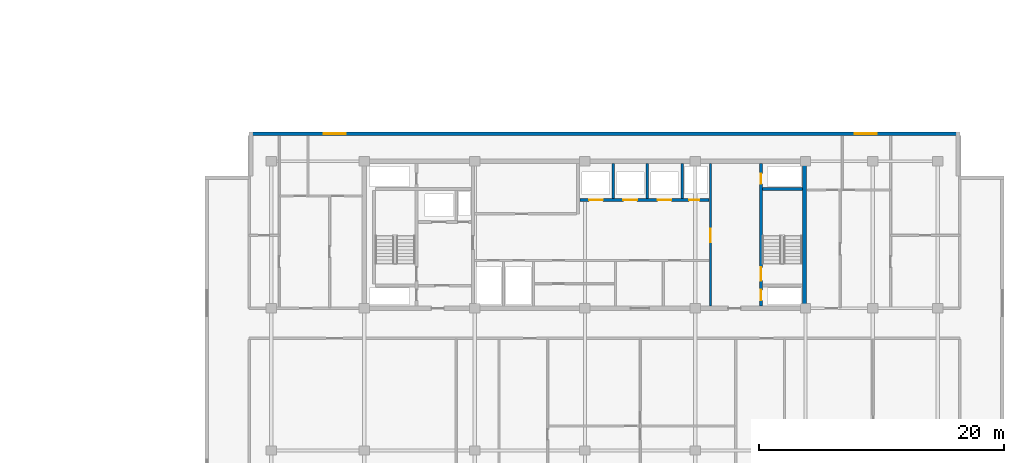
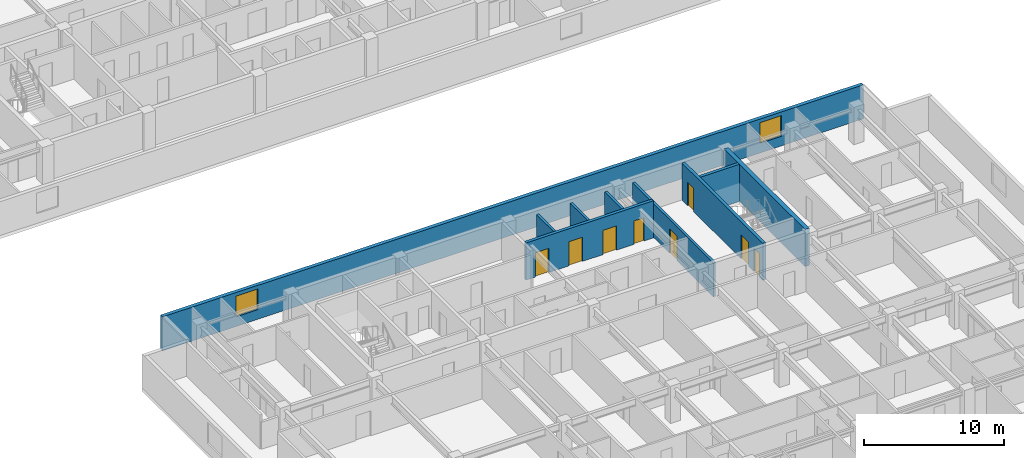
# One storey, part 7 of 21: 9 walls, 8 doors, 2 windows, 10 openings.
"""IFC4 building model written with IfcOpenShell, lengths in metres."""

from ifc_helpers import new_model, si_unit, direction, frame, frame_2d, origin, place, context, subcontext, project, spatial, rectangle, extrude, material, layer, layer_set, type_object, element, fill, save


model = new_model("IFC4")

# Units and contexts
model_context = context("Model", 3, precision=1e-05, world=origin(), true_north=direction((0.0, 1.0)))
body_context = subcontext(model_context, "Body", "Model", "MODEL_VIEW")
ifc_project = project(units=[si_unit("LENGTHUNIT", "METRE"), si_unit("AREAUNIT", "SQUARE_METRE"), si_unit("VOLUMEUNIT", "CUBIC_METRE"), si_unit("PLANEANGLEUNIT", "RADIAN"), si_unit("MASSUNIT", "GRAM", prefix="KILO")], contexts=[model_context])

# Site, building, storey
site_placement = place(None, origin())
site = spatial("IfcSite", under=ifc_project, at=site_placement, CompositionType="ELEMENT")
building_placement = place(site_placement, origin())
building = spatial("IfcBuilding", under=site, at=building_placement, Name="Korimba Cascade Residences", CompositionType="ELEMENT")
storey_placement = place(building_placement, frame((0.0, 0.0, 119.800048828125)))
storey = spatial("IfcBuildingStorey", under=building, at=storey_placement, Name="L34", CompositionType="ELEMENT", Elevation=119.800048828125)

# Wall, openings, windows
ifc_material_1 = material(Name="Precast concrete C40/50", Category="concrete")
ifc_layer_1 = layer(ifc_material_1, 0.300048828125)
ifc_layer_set_1 = layer_set([ifc_layer_1], Name="Precast concrete C40/50")
wall_type_1 = type_object("IfcWallType", Name="EW-STONE-300", PredefinedType="STANDARD", material=ifc_layer_set_1)
wall_1_placement = place(storey_placement, frame((130.699951171875, 32.64990234375, 0.0), z_axis=(0.0, 0.0, 1.0), x_axis=(-1.0, 0.0, 0.0)))
wall_1 = element("IfcWall", 1, at=wall_1_placement, inside=storey, type_object=wall_type_1, Name="L34 T2 Perimeter Stone Wall E06", PredefinedType="STANDARD", context=body_context, shape_type="SweptSolid", body=[
    extrude(rectangle(XDim=58.0, YDim=0.300048828125, at=frame_2d((29.0, 0.0))), origin(), (0.0, 0.0, 1.0), 2.969970703125),
])
opening_1_placement = place(wall_1_placement, frame((50.125, 0.0, 0.85009765625)))
opening_1 = element("IfcOpeningElement", 2, at=opening_1_placement, cuts=wall_1, Name="Opening W-02", PredefinedType="OPENING", context=body_context, shape_type="SweptSolid", body=[
    extrude(rectangle(XDim=1.800048828125, YDim=1.800048828125, at=frame_2d((0.89990234375, 0.89990234375))), frame((0.0, 0.16015625, 0.0), z_axis=(0.0, -1.0, 0.0), x_axis=(1.0, 0.0, 0.0)), (0.0, 0.0, 1.0), 0.320068359375),
])
opening_2_placement = place(wall_1_placement, frame((6.77490234375, 0.0, 0.85009765625)))
opening_2 = element("IfcOpeningElement", 3, at=opening_2_placement, cuts=wall_1, Name="Opening W-02", PredefinedType="OPENING", context=body_context, shape_type="SweptSolid", body=[
    extrude(rectangle(XDim=1.800048828125, YDim=1.800048828125, at=frame_2d((0.89990234375, 0.89990234375))), frame((0.0, 0.16015625, 0.0), z_axis=(0.0, -1.0, 0.0), x_axis=(1.0, 0.0, 0.0)), (0.0, 0.0, 1.0), 0.320068359375),
])
ifc_material_2 = material(Name="Double-Glazed Aluminium Window", Category="aluminium")
window_type = type_object("IfcWindowType", Name="WIN-BED-1800", PartitioningType="SINGLE_PANEL", PredefinedType="WINDOW", material=ifc_material_2)
window_1_placement = place(opening_1_placement, origin())
window_1 = element("IfcWindow", 4, at=window_1_placement, inside=storey, type_object=window_type, Name="L34 T2 North Corner Bedroom Window 1", OverallHeight=1.800048828125, OverallWidth=1.800048828125, PartitioningType="SINGLE_PANEL", PredefinedType="WINDOW", context=body_context, shape_type="SweptSolid", body=[
    extrude(rectangle(XDim=1.800048828125, YDim=1.800048828125, at=frame_2d((0.89990234375, 0.89990234375))), frame((0.0, 0.030029296875, 0.0), z_axis=(0.0, -1.0, 0.0), x_axis=(1.0, 0.0, 0.0)), (0.0, 0.0, 1.0), 0.06005859375),
])
fill(opening_1, window_1)
window_2_placement = place(opening_2_placement, origin())
window_2 = element("IfcWindow", 5, at=window_2_placement, inside=storey, type_object=window_type, Name="L34 T2 North Corner Bedroom Window 2", OverallHeight=1.800048828125, OverallWidth=1.800048828125, PartitioningType="SINGLE_PANEL", PredefinedType="WINDOW", context=body_context, shape_type="SweptSolid", body=[
    extrude(rectangle(XDim=1.800048828125, YDim=1.800048828125, at=frame_2d((0.89990234375, 0.89990234375))), frame((0.0, 0.030029296875, 0.0), z_axis=(0.0, -1.0, 0.0), x_axis=(1.0, 0.0, 0.0)), (0.0, 0.0, 1.0), 0.06005859375),
])
fill(opening_2, window_2)

# Walls
ifc_material_3 = material(Name="Concrete C65/80", Category="concrete")
ifc_layer_2 = layer(ifc_material_3, 0.35009765625)
ifc_layer_set_2 = layer_set([ifc_layer_2], Name="Concrete C65/80")
wall_type_2 = type_object("IfcWallType", Name="WAL-CORE-350", PredefinedType="SHEAR", material=ifc_layer_set_2)
wall_2_placement = place(storey_placement, frame((118.014892578125, 18.574951171875, 0.0), z_axis=(0.0, 0.0, 1.0), x_axis=(0.0, 1.0, 0.0)))
element("IfcWall", 6, at=wall_2_placement, inside=storey, type_object=wall_type_2, Name="L34 Core Shear Wall CW-L34-T2-E", PredefinedType="SHEAR", context=body_context, shape_type="SweptSolid", body=[
    extrude(rectangle(XDim=11.650146484375, YDim=0.35009765625, at=frame_2d((5.8251953125, 0.0))), origin(), (0.0, 0.0, 1.0), 3.25),
])
ifc_material_4 = material(Name="Concrete C40/50", Category="concrete")
ifc_layer_3 = layer(ifc_material_4, 0.199951171875)
ifc_layer_set_3 = layer_set([ifc_layer_3], Name="Concrete C40/50")
wall_type_3 = type_object("IfcWallType", Name="WAL-PART-200", PredefinedType="PARTITIONING", material=ifc_layer_set_3)
for number, where, z_axis, x_axis, name in (
    (7, (102.39990234375, 27.3798828125, 0.0), (0.0, 0.0, 1.0), (0.0, 1.0, 0.0), "L34 Partition Wall CW-L34-T2-B2D1"),
    (8, (105.199951171875, 27.3798828125, 0.0), (0.0, 0.0, 1.0), (0.0, 1.0, 0.0), "L34 Partition Wall CW-L34-T2-B2D2"),
    (9, (108.050048828125, 27.3798828125, 0.0), (0.0, 0.0, 1.0), (0.0, 1.0, 0.0), "L34 Partition Wall CW-L34-T2-B2D3"),
):
    element("IfcWall", number, at=place(storey_placement, frame(where, z_axis=z_axis, x_axis=x_axis)), inside=storey, type_object=wall_type_3, Name=name, PredefinedType="PARTITIONING", context=body_context, shape_type="SweptSolid", body=[
        extrude(rectangle(XDim=2.820068359375, YDim=0.199951171875, at=frame_2d((1.41015625, 0.0))), origin(), (0.0, 0.0, 1.0), 2.969970703125),
    ])

# Wall, opening, door
wall_3_placement = place(storey_placement, frame((110.35009765625, 18.60009765625, 0.0), z_axis=(0.0, 0.0, 1.0), x_axis=(0.0, 1.0, 0.0)))
wall_3 = element("IfcWall", 10, at=wall_3_placement, inside=storey, type_object=wall_type_3, Name="L34 Partition Wall CW-L34-T2-LLEV", PredefinedType="PARTITIONING", context=body_context, shape_type="SweptSolid", body=[
    extrude(rectangle(XDim=11.599853515625, YDim=0.199951171875, at=frame_2d((5.7998046875, 0.0))), origin(), (0.0, 0.0, 1.0), 2.969970703125),
])
opening_3_placement = place(wall_3_placement, frame((5.199951171875, 0.0, 0.0)))
opening_3 = element("IfcOpeningElement", 11, at=opening_3_placement, cuts=wall_3, Name="Opening D-FD6", PredefinedType="OPENING", context=body_context, shape_type="SweptSolid", body=[
    extrude(rectangle(XDim=1.10009765625, YDim=2.14990234375, at=frame_2d((0.550048828125, 1.074951171875))), frame((0.0, 0.10986328125, 0.0), z_axis=(0.0, -1.0, 0.0), x_axis=(1.0, 0.0, 0.0)), (0.0, 0.0, 1.0), 0.219970703125),
])
ifc_material_5 = material(Name="Fire-Rated Timber Stair Lobby Door", Category="wood")
door_type_1 = type_object("IfcDoorType", Name="DR-FD90-1100", OperationType="NOTDEFINED", PredefinedType="DOOR", material=ifc_material_5)
door_1_placement = place(opening_3_placement, origin())
door_1 = element("IfcDoor", 12, at=door_1_placement, inside=storey, type_object=door_type_1, Name="L34 T2 Lift Lobby to East Stair Lobby Door", OperationType="SINGLE_SWING_RIGHT", OverallHeight=2.14990234375, OverallWidth=1.10009765625, PredefinedType="DOOR", context=body_context, shape_type="SweptSolid", body=[
    extrude(rectangle(XDim=1.10009765625, YDim=2.14990234375, at=frame_2d((0.550048828125, 1.074951171875))), frame((0.0, 0.02490234375, 0.0), z_axis=(0.0, -1.0, 0.0), x_axis=(1.0, 0.0, 0.0)), (0.0, 0.0, 1.0), 0.050048828125),
])
fill(opening_3, door_1)

# Wall, openings, doors
ifc_material_6 = material(Name="Concrete C50/60", Category="concrete")
ifc_layer_4 = layer(ifc_material_6, 0.25)
ifc_layer_set_4 = layer_set([ifc_layer_4], Name="Concrete C50/60")
wall_type_4 = type_object("IfcWallType", Name="WAL-SHAFT-250", PredefinedType="SHEAR", material=ifc_layer_set_4)
wall_4_placement = place(storey_placement, frame((99.679931640625, 27.25, 0.0), z_axis=(0.0, 0.0, 1.0), x_axis=(1.0, 0.0, 0.0)))
wall_4 = element("IfcWall", 13, at=wall_4_placement, inside=storey, type_object=wall_type_4, Name="L34 Core Shear Wall CW-L34-T2-B2S", PredefinedType="SHEAR", context=body_context, shape_type="SweptSolid", body=[
    extrude(rectangle(XDim=10.5400390625, YDim=0.25, at=frame_2d((5.27001953125, 0.0))), origin(), (0.0, 0.0, 1.0), 3.25),
])
opening_4_placement = place(wall_4_placement, frame((0.760009765625, 0.0, 0.0)))
opening_4 = element("IfcOpeningElement", 14, at=opening_4_placement, cuts=wall_4, Name="Opening LD-01", PredefinedType="OPENING", context=body_context, shape_type="SweptSolid", body=[
    extrude(rectangle(XDim=1.1201171875, YDim=2.1201171875, at=frame_2d((0.56005859375, 1.06005859375))), frame((0.0, 0.135009765625, 0.0), z_axis=(0.0, -1.0, 0.0), x_axis=(1.0, 0.0, 0.0)), (0.0, 0.0, 1.0), 0.27001953125),
])
opening_5_placement = place(wall_4_placement, frame((3.56005859375, 0.0, 0.0)))
opening_5 = element("IfcOpeningElement", 15, at=opening_5_placement, cuts=wall_4, Name="Opening LD-01", PredefinedType="OPENING", context=body_context, shape_type="SweptSolid", body=[
    extrude(rectangle(XDim=1.1201171875, YDim=2.1201171875, at=frame_2d((0.56005859375, 1.06005859375))), frame((0.0, 0.135009765625, 0.0), z_axis=(0.0, -1.0, 0.0), x_axis=(1.0, 0.0, 0.0)), (0.0, 0.0, 1.0), 0.27001953125),
])
opening_6_placement = place(wall_4_placement, frame((6.360107421875, 0.0, 0.0)))
opening_6 = element("IfcOpeningElement", 16, at=opening_6_placement, cuts=wall_4, Name="Opening LD-01", PredefinedType="OPENING", context=body_context, shape_type="SweptSolid", body=[
    extrude(rectangle(XDim=1.1201171875, YDim=2.1201171875, at=frame_2d((0.56005859375, 1.06005859375))), frame((0.0, 0.135009765625, 0.0), z_axis=(0.0, -1.0, 0.0), x_axis=(1.0, 0.0, 0.0)), (0.0, 0.0, 1.0), 0.27001953125),
])
opening_7_placement = place(wall_4_placement, frame((8.919921875, 0.0, 0.0)))
opening_7 = element("IfcOpeningElement", 17, at=opening_7_placement, cuts=wall_4, Name="Opening D-RS1", PredefinedType="OPENING", context=body_context, shape_type="SweptSolid", body=[
    extrude(rectangle(XDim=0.85009765625, YDim=2.050048828125, at=frame_2d((0.425048828125, 1.02490234375))), frame((0.0, 0.135009765625, 0.0), z_axis=(0.0, -1.0, 0.0), x_axis=(1.0, 0.0, 0.0)), (0.0, 0.0, 1.0), 0.27001953125),
])
ifc_material_7 = material(Name="Fire-Rated Steel Riser Access Door", Category="steel")
door_type_2 = type_object("IfcDoorType", Name="DR-FD60-850", OperationType="NOTDEFINED", PredefinedType="DOOR", material=ifc_material_7)
door_2_placement = place(opening_7_placement, origin())
door_2 = element("IfcDoor", 18, at=door_2_placement, inside=storey, type_object=door_type_2, Name="L34 T2 Duct Door", OperationType="SINGLE_SWING_RIGHT", OverallHeight=2.050048828125, OverallWidth=0.85009765625, PredefinedType="DOOR", context=body_context, shape_type="SweptSolid", body=[
    extrude(rectangle(XDim=0.85009765625, YDim=2.050048828125, at=frame_2d((0.425048828125, 1.02490234375))), frame((0.0, 0.02490234375, 0.0), z_axis=(0.0, -1.0, 0.0), x_axis=(1.0, 0.0, 0.0)), (0.0, 0.0, 1.0), 0.050048828125),
])
fill(opening_7, door_2)
ifc_material_8 = material(Name="Stainless Steel Lift Landing Sliding Door", Category="steel")
door_type_3 = type_object("IfcDoorType", Name="DR-LIFT-1100", OperationType="NOTDEFINED", PredefinedType="DOOR", material=ifc_material_8)
door_3_placement = place(opening_4_placement, origin())
door_3 = element("IfcDoor", 19, at=door_3_placement, inside=storey, type_object=door_type_3, Name="L34 Lift Landing Door PL-E4", OperationType="SLIDING_TO_RIGHT", OverallHeight=2.1201171875, OverallWidth=1.1201171875, PredefinedType="DOOR", context=body_context, shape_type="SweptSolid", body=[
    extrude(rectangle(XDim=1.1201171875, YDim=2.1201171875, at=frame_2d((0.56005859375, 1.06005859375))), frame((0.0, 0.02490234375, 0.0), z_axis=(0.0, -1.0, 0.0), x_axis=(1.0, 0.0, 0.0)), (0.0, 0.0, 1.0), 0.050048828125),
])
fill(opening_4, door_3)
door_4_placement = place(opening_5_placement, origin())
door_4 = element("IfcDoor", 20, at=door_4_placement, inside=storey, type_object=door_type_3, Name="L34 Lift Landing Door PL-E5", OperationType="SLIDING_TO_RIGHT", OverallHeight=2.1201171875, OverallWidth=1.1201171875, PredefinedType="DOOR", context=body_context, shape_type="SweptSolid", body=[
    extrude(rectangle(XDim=1.1201171875, YDim=2.1201171875, at=frame_2d((0.56005859375, 1.06005859375))), frame((0.0, 0.02490234375, 0.0), z_axis=(0.0, -1.0, 0.0), x_axis=(1.0, 0.0, 0.0)), (0.0, 0.0, 1.0), 0.050048828125),
])
fill(opening_5, door_4)
door_5_placement = place(opening_6_placement, origin())
door_5 = element("IfcDoor", 21, at=door_5_placement, inside=storey, type_object=door_type_3, Name="L34 Lift Landing Door PL-E6", OperationType="SLIDING_TO_RIGHT", OverallHeight=2.1201171875, OverallWidth=1.1201171875, PredefinedType="DOOR", context=body_context, shape_type="SweptSolid", body=[
    extrude(rectangle(XDim=1.1201171875, YDim=2.1201171875, at=frame_2d((0.56005859375, 1.06005859375))), frame((0.0, 0.02490234375, 0.0), z_axis=(0.0, -1.0, 0.0), x_axis=(1.0, 0.0, 0.0)), (0.0, 0.0, 1.0), 0.050048828125),
])
fill(opening_6, door_5)

wall_5_placement = place(storey_placement, frame((114.47509765625, 18.60009765625, 0.0), z_axis=(0.0, 0.0, 1.0), x_axis=(0.0, 1.0, 0.0)))
wall_5 = element("IfcWall", 22, at=wall_5_placement, inside=storey, type_object=wall_type_4, Name="L34 Core Shear Wall CW-L34-T2-STE2W", PredefinedType="SHEAR", context=body_context, shape_type="SweptSolid", body=[
    extrude(rectangle(XDim=11.599853515625, YDim=0.25, at=frame_2d((5.7998046875, 0.0))), origin(), (0.0, 0.0, 1.0), 3.25),
])
opening_8_placement = place(wall_5_placement, frame((0.449951171875, 0.0, 0.0)))
opening_8 = element("IfcOpeningElement", 23, at=opening_8_placement, cuts=wall_5, Name="Opening D-RS1", PredefinedType="OPENING", context=body_context, shape_type="SweptSolid", body=[
    extrude(rectangle(XDim=0.85009765625, YDim=2.050048828125, at=frame_2d((0.425048828125, 1.02490234375))), frame((0.0, 0.135009765625, 0.0), z_axis=(0.0, -1.0, 0.0), x_axis=(1.0, 0.0, 0.0)), (0.0, 0.0, 1.0), 0.27001953125),
])
opening_9_placement = place(wall_5_placement, frame((2.050048828125, 0.0, 0.0)))
opening_9 = element("IfcOpeningElement", 24, at=opening_9_placement, cuts=wall_5, Name="Opening D-FD1", PredefinedType="OPENING", context=body_context, shape_type="SweptSolid", body=[
    extrude(rectangle(XDim=1.10009765625, YDim=2.10009765625, at=frame_2d((0.550048828125, 1.050048828125))), frame((0.0, 0.135009765625, 0.0), z_axis=(0.0, -1.0, 0.0), x_axis=(1.0, 0.0, 0.0)), (0.0, 0.0, 1.0), 0.27001953125),
])
opening_10_placement = place(wall_5_placement, frame((9.949951171875, 0.0, 0.0)))
opening_10 = element("IfcOpeningElement", 25, at=opening_10_placement, cuts=wall_5, Name="Opening D-RS1", PredefinedType="OPENING", context=body_context, shape_type="SweptSolid", body=[
    extrude(rectangle(XDim=0.85009765625, YDim=2.050048828125, at=frame_2d((0.425048828125, 1.02490234375))), frame((0.0, 0.135009765625, 0.0), z_axis=(0.0, -1.0, 0.0), x_axis=(1.0, 0.0, 0.0)), (0.0, 0.0, 1.0), 0.27001953125),
])
ifc_material_9 = material(Name="Fire-Rated Steel Core Door", Category="steel")
door_type_4 = type_object("IfcDoorType", Name="DR-FD120-1100", OperationType="NOTDEFINED", PredefinedType="DOOR", material=ifc_material_9)
door_6_placement = place(opening_9_placement, origin())
door_6 = element("IfcDoor", 26, at=door_6_placement, inside=storey, type_object=door_type_4, Name="L34 Fire Stair ST-E2 Door", OperationType="SINGLE_SWING_RIGHT", OverallHeight=2.10009765625, OverallWidth=1.10009765625, PredefinedType="DOOR", context=body_context, shape_type="SweptSolid", body=[
    extrude(rectangle(XDim=1.10009765625, YDim=2.10009765625, at=frame_2d((0.550048828125, 1.050048828125))), frame((0.0, 0.02490234375, 0.0), z_axis=(0.0, -1.0, 0.0), x_axis=(1.0, 0.0, 0.0)), (0.0, 0.0, 1.0), 0.050048828125),
])
fill(opening_9, door_6)
door_7_placement = place(opening_8_placement, origin())
door_7 = element("IfcDoor", 27, at=door_7_placement, inside=storey, type_object=door_type_2, Name="L34 T2 East Hydrant Door", OperationType="SINGLE_SWING_LEFT", OverallHeight=2.050048828125, OverallWidth=0.85009765625, PredefinedType="DOOR", context=body_context, shape_type="SweptSolid", body=[
    extrude(rectangle(XDim=0.85009765625, YDim=2.050048828125, at=frame_2d((0.425048828125, 1.02490234375))), frame((0.0, 0.02490234375, 0.0), z_axis=(0.0, -1.0, 0.0), x_axis=(1.0, 0.0, 0.0)), (0.0, 0.0, 1.0), 0.050048828125),
])
fill(opening_8, door_7)
door_8_placement = place(opening_10_placement, origin())
door_8 = element("IfcDoor", 28, at=door_8_placement, inside=storey, type_object=door_type_2, Name="L34 T2 East Riser Door", OperationType="SINGLE_SWING_LEFT", OverallHeight=2.050048828125, OverallWidth=0.85009765625, PredefinedType="DOOR", context=body_context, shape_type="SweptSolid", body=[
    extrude(rectangle(XDim=0.85009765625, YDim=2.050048828125, at=frame_2d((0.425048828125, 1.02490234375))), frame((0.0, 0.02490234375, 0.0), z_axis=(0.0, -1.0, 0.0), x_axis=(1.0, 0.0, 0.0)), (0.0, 0.0, 1.0), 0.050048828125),
])
fill(opening_10, door_8)

# Wall
wall_6_placement = place(storey_placement, frame((114.60009765625, 28.125, 0.0), z_axis=(0.0, 0.0, 1.0), x_axis=(1.0, 0.0, 0.0)))
element("IfcWall", 29, at=wall_6_placement, inside=storey, type_object=wall_type_4, Name="L34 Core Shear Wall CW-L34-T2-STE2N", PredefinedType="SHEAR", context=body_context, shape_type="SweptSolid", body=[
    extrude(rectangle(XDim=3.239990234375, YDim=0.25, at=frame_2d((1.6201171875, 0.0))), origin(), (0.0, 0.0, 1.0), 3.25),
])

save(model, "model.ifc")
